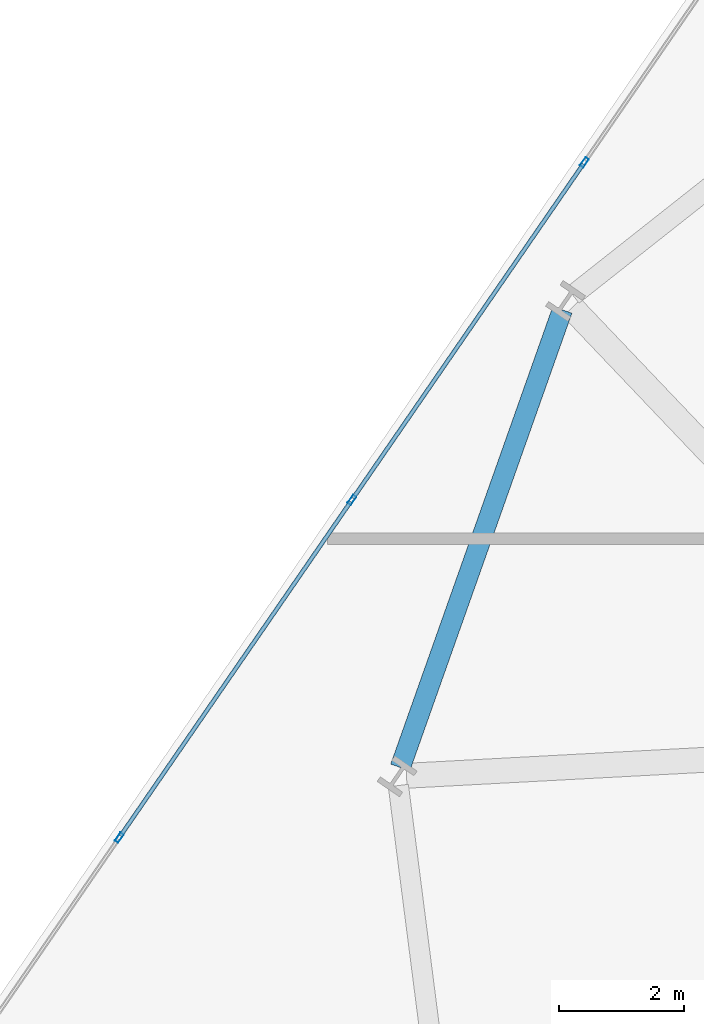
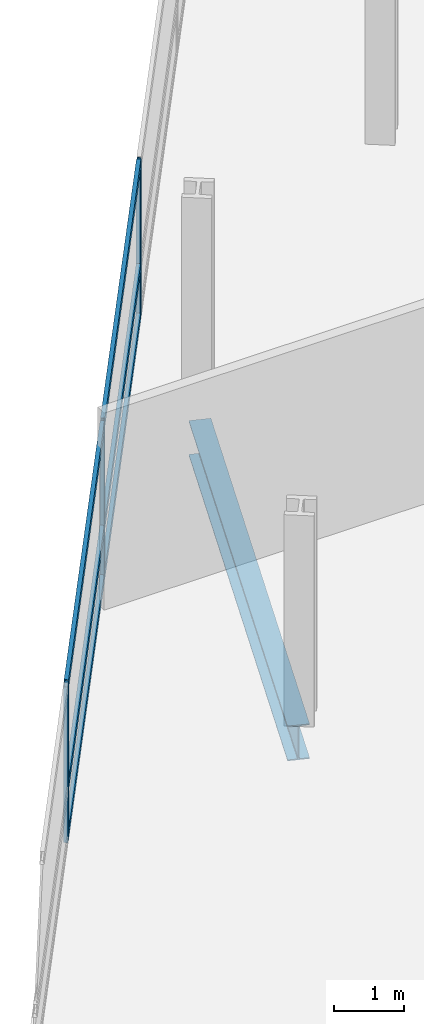
# One storey, part 4 of 24: 9 members, 1 beam, 1 element without a shape of its own.
"""IFC4 building model written with IfcOpenShell, lengths in metres."""

from ifc_helpers import new_model, si_unit, direction, frame, origin, origin_2d, place, context, subcontext, project, spatial, hollow_rectangle, i_section, extrude, material, layer, layer_set, material_profile, profile_set, type_object, element, aggregate, save


model = new_model("IFC4")

# Units and contexts
model_context = context("Model", 3, precision=1e-05, world=origin(), true_north=direction((0.0, 1.0)))
body_context = subcontext(model_context, "Body", "Model", "MODEL_VIEW")
ifc_project = project(units=[si_unit("LENGTHUNIT", "METRE"), si_unit("AREAUNIT", "SQUARE_METRE"), si_unit("VOLUMEUNIT", "CUBIC_METRE"), si_unit("PLANEANGLEUNIT", "RADIAN"), si_unit("MASSUNIT", "GRAM", prefix="KILO")], contexts=[model_context])

# Site, building, storey
site_placement = place(None, origin())
site = spatial("IfcSite", under=ifc_project, at=site_placement, CompositionType="ELEMENT")
building_placement = place(site_placement, origin())
building = spatial("IfcBuilding", under=site, at=building_placement, Name="Varnelok Gate Tower", CompositionType="ELEMENT")
storey_placement = place(building_placement, frame((0.0, 0.0, 38.10009765625)))
storey = spatial("IfcBuildingStorey", under=building, at=storey_placement, Name="L08", CompositionType="ELEMENT", Elevation=38.10009765625)

# Beam
ifc_material_1 = material(Name="Structural Steel ASTM A992 Grade 50", Category="steel")
ifc_material_profile_1 = material_profile(ifc_material_1, i_section(OverallWidth=0.323974609375, OverallDepth=0.611083984375, WebThickness=0.0126953125, FlangeThickness=0.01904296875, FilletRadius=0.01806640625, at=origin_2d()), Name="W24X104")
ifc_profile_set_1 = profile_set([ifc_material_profile_1], Name="Structural Steel ASTM A992 Grade 50")
beam_type = type_object("IfcBeamType", Name="BM-SPN-W24X104", PredefinedType="SPANDREL", material=ifc_profile_set_1)
beam_placement = place(storey_placement, frame((6.679931640625, 45.09619140625, -0.5556640625), z_axis=(-0.333877359029, -0.942616522838, 0.0), x_axis=(0.942616522838, -0.333877359029, 0.0)))
element("IfcBeam", 1, at=beam_placement, inside=storey, type_object=beam_type, Name="L08 Perimeter Spandrel Beam 15", PredefinedType="SPANDREL", context=body_context, shape_type="SweptSolid", body=[
    extrude(i_section(OverallWidth=0.323974609375, OverallDepth=0.611083984375, WebThickness=0.0126953125, FlangeThickness=0.01904296875, FilletRadius=0.01806640625, at=origin_2d()), origin(), (0.0, 0.0, 1.0), 7.77734375),
])

# Curtain wall, members
ifc_material_2 = material(Name="Anodized Aluminum Alloy 6063-T6", Category="aluminium")
ifc_layer = layer(ifc_material_2, 0.179931640625)
ifc_layer_set = layer_set([ifc_layer], Name="Anodized Aluminum Alloy 6063-T6")
curtain_wall_type = type_object("IfcCurtainWallType", Name="CW3-HOTEL-VISION", PredefinedType="USERDEFINED", material=ifc_layer_set)
curtain_wall_placement = place(storey_placement, origin())
curtain_wall = element("IfcCurtainWall", 2, at=curtain_wall_placement, inside=storey, type_object=curtain_wall_type, Name="L08 West End Vision Curtain Wall", ObjectType="UNITISED CURTAIN WALL", PredefinedType="USERDEFINED")
ifc_material_profile_2 = material_profile(ifc_material_2, hollow_rectangle(XDim=0.06494140625, YDim=0.159912109375, WallThickness=0.00390625, at=origin_2d()), Name="ALU160X65X4")
ifc_profile_set_2 = profile_set([ifc_material_profile_2], Name="Anodized Aluminum Alloy 6063-T6")
member_type_1 = type_object("IfcMemberType", Name="CW-MULL-160", PredefinedType="MULLION", material=ifc_profile_set_2)
member_1_placement = place(storey_placement, frame((-0.417236328125, 36.641845703125, 0.0), z_axis=(0.0, 0.0, 1.0), x_axis=(-0.823532685111, 0.567268822124, 0.0)))
member_1 = element("IfcMember", 3, at=member_1_placement, type_object=member_type_1, Name="CW3 mullion 2", PredefinedType="MULLION", context=body_context, shape_type="SweptSolid", body=[
    extrude(hollow_rectangle(XDim=0.06494140625, YDim=0.159912109375, WallThickness=0.00390625, at=origin_2d()), origin(), (0.0, 0.0, 1.0), 2.72998046875),
])
member_2_placement = place(storey_placement, frame((3.3076171875, 42.049560546875, 0.0), z_axis=(0.0, 0.0, 1.0), x_axis=(-0.823532685111, 0.567268822124, 0.0)))
member_2 = element("IfcMember", 4, at=member_2_placement, type_object=member_type_1, Name="CW3 mullion 3", PredefinedType="MULLION", context=body_context, shape_type="SweptSolid", body=[
    extrude(hollow_rectangle(XDim=0.06494140625, YDim=0.159912109375, WallThickness=0.00390625, at=origin_2d()), origin(), (0.0, 0.0, 1.0), 2.72998046875),
])
member_3_placement = place(storey_placement, frame((7.03271484375, 47.45751953125, 0.0), z_axis=(0.0, 0.0, 1.0), x_axis=(-0.823532685111, 0.567268822124, 0.0)))
member_3 = element("IfcMember", 5, at=member_3_placement, type_object=member_type_1, Name="CW3 mullion 4", PredefinedType="MULLION", context=body_context, shape_type="SweptSolid", body=[
    extrude(hollow_rectangle(XDim=0.06494140625, YDim=0.159912109375, WallThickness=0.00390625, at=origin_2d()), origin(), (0.0, 0.0, 1.0), 2.72998046875),
])
ifc_material_profile_3 = material_profile(ifc_material_2, hollow_rectangle(XDim=0.06494140625, YDim=0.159912109375, WallThickness=0.00390625, at=origin_2d()), Name="ALU160X65X4")
ifc_profile_set_3 = profile_set([ifc_material_profile_3], Name="Anodized Aluminum Alloy 6063-T6")
member_type_2 = type_object("IfcMemberType", Name="CW-TRAN-160", PredefinedType="USERDEFINED", material=ifc_profile_set_3)
member_4_placement = place(storey_placement, frame((-0.39892578125, 36.66845703125, 0.032470703125), z_axis=(0.567261662339, 0.823537616894, 0.0), x_axis=(-0.823537616894, 0.567261662339, 0.0)))
member_4 = element("IfcMember", 6, at=member_4_placement, type_object=member_type_2, Name="CW3 transom 2.1", ObjectType="TRANSOM", PredefinedType="USERDEFINED", context=body_context, shape_type="SweptSolid", body=[
    extrude(hollow_rectangle(XDim=0.06494140625, YDim=0.159912109375, WallThickness=0.00390625, at=origin_2d()), origin(), (0.0, 0.0, 1.0), 6.501708984375),
])
member_5_placement = place(storey_placement, frame((-0.39892578125, 36.66845703125, 0.89990234375), z_axis=(0.567261662339, 0.823537616894, 0.0), x_axis=(-0.823537616894, 0.567261662339, 0.0)))
member_5 = element("IfcMember", 7, at=member_5_placement, type_object=member_type_2, Name="CW3 transom 2.2", ObjectType="TRANSOM", PredefinedType="USERDEFINED", context=body_context, shape_type="SweptSolid", body=[
    extrude(hollow_rectangle(XDim=0.06494140625, YDim=0.159912109375, WallThickness=0.00390625, at=origin_2d()), origin(), (0.0, 0.0, 1.0), 6.501708984375),
])
member_6_placement = place(storey_placement, frame((-0.39892578125, 36.66845703125, 2.697509765625), z_axis=(0.567261662339, 0.823537616894, 0.0), x_axis=(-0.823537616894, 0.567261662339, 0.0)))
member_6 = element("IfcMember", 8, at=member_6_placement, type_object=member_type_2, Name="CW3 transom 2.3", ObjectType="TRANSOM", PredefinedType="USERDEFINED", context=body_context, shape_type="SweptSolid", body=[
    extrude(hollow_rectangle(XDim=0.06494140625, YDim=0.159912109375, WallThickness=0.00390625, at=origin_2d()), origin(), (0.0, 0.0, 1.0), 6.501708984375),
])
member_7_placement = place(storey_placement, frame((3.326171875, 42.076416015625, 0.032470703125), z_axis=(0.567279204469, 0.823525533409, 0.0), x_axis=(-0.823525533409, 0.567279204469, 0.0)))
member_7 = element("IfcMember", 9, at=member_7_placement, type_object=member_type_2, Name="CW3 transom 3.1", ObjectType="TRANSOM", PredefinedType="USERDEFINED", context=body_context, shape_type="SweptSolid", body=[
    extrude(hollow_rectangle(XDim=0.06494140625, YDim=0.159912109375, WallThickness=0.00390625, at=origin_2d()), origin(), (0.0, 0.0, 1.0), 6.501708984375),
])
member_8_placement = place(storey_placement, frame((3.326171875, 42.076416015625, 0.89990234375), z_axis=(0.567279204469, 0.823525533409, 0.0), x_axis=(-0.823525533409, 0.567279204469, 0.0)))
member_8 = element("IfcMember", 10, at=member_8_placement, type_object=member_type_2, Name="CW3 transom 3.2", ObjectType="TRANSOM", PredefinedType="USERDEFINED", context=body_context, shape_type="SweptSolid", body=[
    extrude(hollow_rectangle(XDim=0.06494140625, YDim=0.159912109375, WallThickness=0.00390625, at=origin_2d()), origin(), (0.0, 0.0, 1.0), 6.501708984375),
])
member_9_placement = place(storey_placement, frame((3.326171875, 42.076416015625, 2.697509765625), z_axis=(0.567279204469, 0.823525533409, 0.0), x_axis=(-0.823525533409, 0.567279204469, 0.0)))
member_9 = element("IfcMember", 11, at=member_9_placement, type_object=member_type_2, Name="CW3 transom 3.3", ObjectType="TRANSOM", PredefinedType="USERDEFINED", context=body_context, shape_type="SweptSolid", body=[
    extrude(hollow_rectangle(XDim=0.06494140625, YDim=0.159912109375, WallThickness=0.00390625, at=origin_2d()), origin(), (0.0, 0.0, 1.0), 6.501708984375),
])
aggregate(curtain_wall, [member_1, member_2, member_3, member_4, member_5, member_6, member_7, member_8, member_9])

save(model, "model.ifc")
